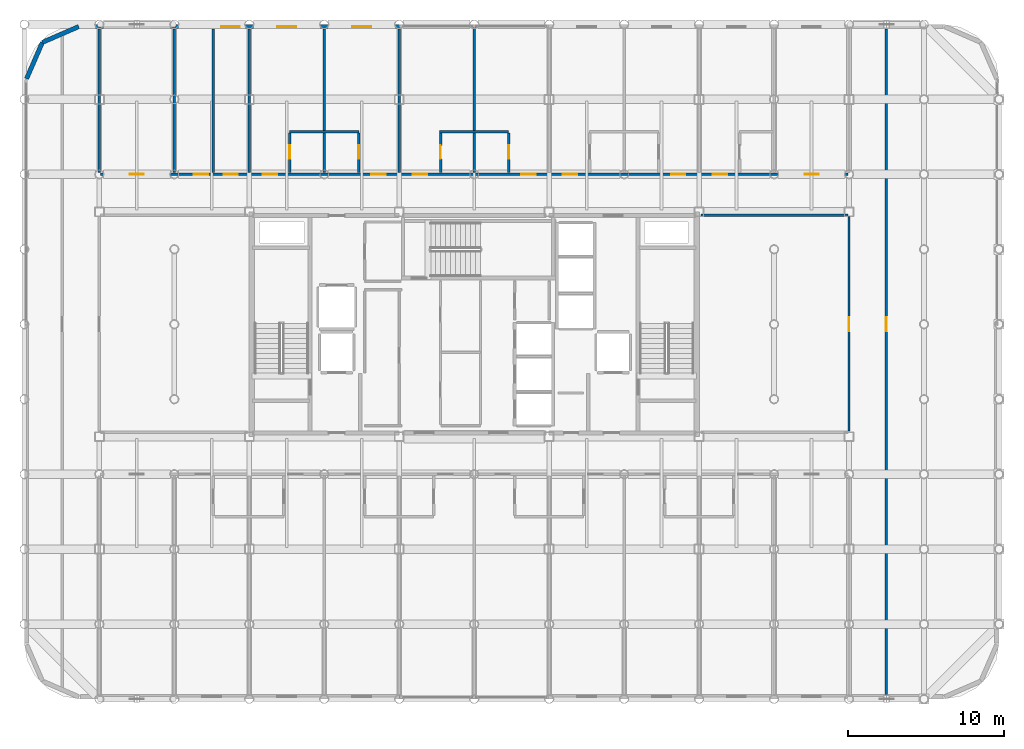
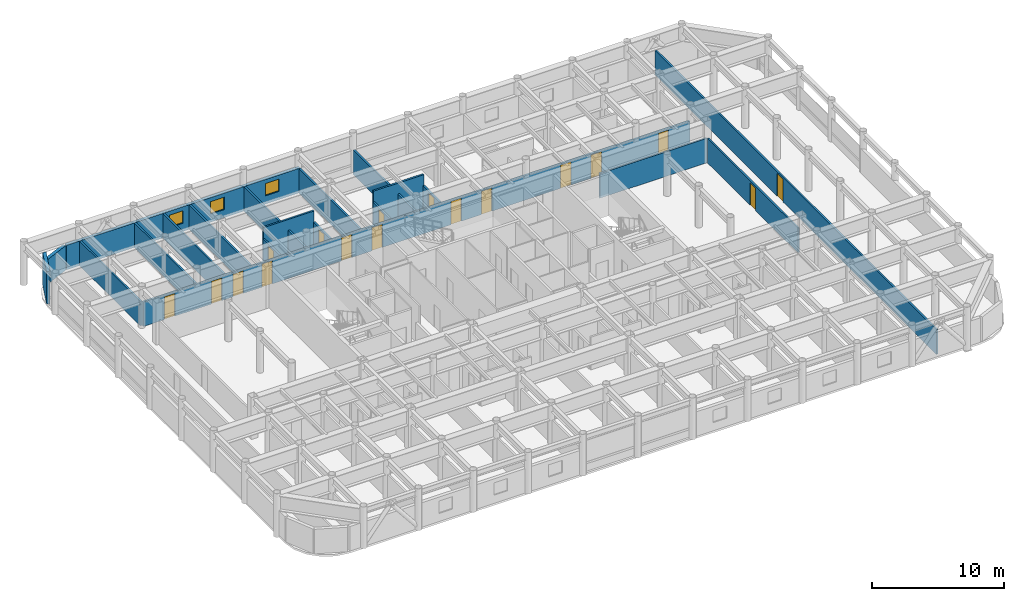
# One storey, part 20 of 22: 20 walls, 17 doors, 3 windows, 20 openings.
"""IFC4 building model written with IfcOpenShell, lengths in metres."""

from ifc_helpers import new_model, si_unit, direction, frame, frame_2d, origin, place, context, subcontext, project, spatial, rectangle, extrude, material, layer, layer_set, type_object, element, fill, save


model = new_model("IFC4")

# Units and contexts
model_context = context("Model", 3, precision=1e-05, world=origin(), true_north=direction((0.0, 1.0)))
body_context = subcontext(model_context, "Body", "Model", "MODEL_VIEW")
ifc_project = project(units=[si_unit("LENGTHUNIT", "METRE"), si_unit("AREAUNIT", "SQUARE_METRE"), si_unit("VOLUMEUNIT", "CUBIC_METRE"), si_unit("PLANEANGLEUNIT", "RADIAN"), si_unit("MASSUNIT", "GRAM", prefix="KILO")], contexts=[model_context])

# Site, building, storey
site_placement = place(None, origin())
site = spatial("IfcSite", under=ifc_project, at=site_placement, CompositionType="ELEMENT")
building_placement = place(site_placement, origin())
building = spatial("IfcBuilding", under=site, at=building_placement, Name="Kallvorn Hotel Tower", CompositionType="ELEMENT")
storey_placement = place(building_placement, frame((0.0, 0.0, 191.5)))
storey = spatial("IfcBuildingStorey", under=building, at=storey_placement, Name="L47", CompositionType="ELEMENT", Elevation=191.5)

# Wall, openings, doors
ifc_material_1 = material(Name="Fire-rated double-layer acoustic gypsum drywall EI 60")
ifc_layer_1 = layer(ifc_material_1, 0.159912109375)
ifc_layer_set_1 = layer_set([ifc_layer_1], Name="WL_DEMISE_160")
wall_type_1 = type_object("IfcWallType", Name="WL_DEMISE_160", PredefinedType="PARTITIONING", material=ifc_layer_set_1)
wall_1_placement = place(storey_placement, frame((-23.919921875, 9.60009765625, 0.0), z_axis=(0.0, 0.0, 1.0), x_axis=(1.0, 0.0, 0.0)))
wall_1 = element("IfcWall", 1, at=wall_1_placement, inside=storey, type_object=wall_type_1, Name="L47 Suite 4709 Standard Twin Room Partition", PredefinedType="PARTITIONING", context=body_context, shape_type="SweptSolid", body=[
    extrude(rectangle(XDim=47.83984375, YDim=0.159912109375, at=frame_2d((23.919921875, 0.0))), origin(), (0.0, 0.0, 1.0), 2.27001953125),
])
opening_1_placement = place(wall_1_placement, frame((1.8701171875, 0.0, 0.0)))
opening_1 = element("IfcOpeningElement", 2, at=opening_1_placement, cuts=wall_1, Name="Opening SVD1", PredefinedType="OPENING", context=body_context, shape_type="SweptSolid", body=[
    extrude(rectangle(XDim=0.89990234375, YDim=2.10009765625, at=frame_2d((0.449951171875, 1.050048828125))), frame((0.0, 0.094970703125, 0.0), z_axis=(0.0, -1.0, 0.0), x_axis=(1.0, 0.0, 0.0)), (0.0, 0.0, 1.0), 0.18994140625),
])
opening_2_placement = place(wall_1_placement, frame((45.070068359375, 0.0, 0.0)))
opening_2 = element("IfcOpeningElement", 3, at=opening_2_placement, cuts=wall_1, Name="Opening SVD1", PredefinedType="OPENING", context=body_context, shape_type="SweptSolid", body=[
    extrude(rectangle(XDim=0.89990234375, YDim=2.10009765625, at=frame_2d((0.449951171875, 1.050048828125))), frame((0.0, 0.094970703125, 0.0), z_axis=(0.0, -1.0, 0.0), x_axis=(1.0, 0.0, 0.0)), (0.0, 0.0, 1.0), 0.18994140625),
])
opening_3_placement = place(wall_1_placement, frame((5.97998046875, 0.0, 0.0)))
opening_3 = element("IfcOpeningElement", 4, at=opening_3_placement, cuts=wall_1, Name="Opening SVD1", PredefinedType="OPENING", context=body_context, shape_type="SweptSolid", body=[
    extrude(rectangle(XDim=0.89990234375, YDim=2.10009765625, at=frame_2d((0.449951171875, 1.050048828125))), frame((0.0, 0.094970703125, 0.0), z_axis=(0.0, -1.0, 0.0), x_axis=(1.0, 0.0, 0.0)), (0.0, 0.0, 1.0), 0.18994140625),
])
opening_4_placement = place(wall_1_placement, frame((7.8701171875, 0.0, 0.0)))
opening_4 = element("IfcOpeningElement", 5, at=opening_4_placement, cuts=wall_1, Name="Opening SVD1", PredefinedType="OPENING", context=body_context, shape_type="SweptSolid", body=[
    extrude(rectangle(XDim=0.89990234375, YDim=2.10009765625, at=frame_2d((0.449951171875, 1.050048828125))), frame((0.0, 0.094970703125, 0.0), z_axis=(0.0, -1.0, 0.0), x_axis=(1.0, 0.0, 0.0)), (0.0, 0.0, 1.0), 0.18994140625),
])
opening_5_placement = place(wall_1_placement, frame((10.39501953125, 0.0, 0.0)))
opening_5 = element("IfcOpeningElement", 6, at=opening_5_placement, cuts=wall_1, Name="Opening GD1", PredefinedType="OPENING", context=body_context, shape_type="SweptSolid", body=[
    extrude(rectangle(XDim=0.919921875, YDim=2.14990234375, at=frame_2d((0.4599609375, 1.074951171875))), frame((0.0, 0.094970703125, 0.0), z_axis=(0.0, -1.0, 0.0), x_axis=(1.0, 0.0, 0.0)), (0.0, 0.0, 1.0), 0.18994140625),
])
opening_6_placement = place(wall_1_placement, frame((17.324951171875, 0.0, 0.0)))
opening_6 = element("IfcOpeningElement", 7, at=opening_6_placement, cuts=wall_1, Name="Opening GD1", PredefinedType="OPENING", context=body_context, shape_type="SweptSolid", body=[
    extrude(rectangle(XDim=0.919921875, YDim=2.14990234375, at=frame_2d((0.4599609375, 1.074951171875))), frame((0.0, 0.094970703125, 0.0), z_axis=(0.0, -1.0, 0.0), x_axis=(1.0, 0.0, 0.0)), (0.0, 0.0, 1.0), 0.18994140625),
])
opening_7_placement = place(wall_1_placement, frame((19.9951171875, 0.0, 0.0)))
opening_7 = element("IfcOpeningElement", 8, at=opening_7_placement, cuts=wall_1, Name="Opening GD1", PredefinedType="OPENING", context=body_context, shape_type="SweptSolid", body=[
    extrude(rectangle(XDim=0.919921875, YDim=2.14990234375, at=frame_2d((0.4599609375, 1.074951171875))), frame((0.0, 0.094970703125, 0.0), z_axis=(0.0, -1.0, 0.0), x_axis=(1.0, 0.0, 0.0)), (0.0, 0.0, 1.0), 0.18994140625),
])
opening_8_placement = place(wall_1_placement, frame((26.925048828125, 0.0, 0.0)))
opening_8 = element("IfcOpeningElement", 9, at=opening_8_placement, cuts=wall_1, Name="Opening GD1", PredefinedType="OPENING", context=body_context, shape_type="SweptSolid", body=[
    extrude(rectangle(XDim=0.919921875, YDim=2.14990234375, at=frame_2d((0.4599609375, 1.074951171875))), frame((0.0, 0.094970703125, 0.0), z_axis=(0.0, -1.0, 0.0), x_axis=(1.0, 0.0, 0.0)), (0.0, 0.0, 1.0), 0.18994140625),
])
opening_9_placement = place(wall_1_placement, frame((29.594970703125, 0.0, 0.0)))
opening_9 = element("IfcOpeningElement", 10, at=opening_9_placement, cuts=wall_1, Name="Opening GD1", PredefinedType="OPENING", context=body_context, shape_type="SweptSolid", body=[
    extrude(rectangle(XDim=0.919921875, YDim=2.14990234375, at=frame_2d((0.4599609375, 1.074951171875))), frame((0.0, 0.094970703125, 0.0), z_axis=(0.0, -1.0, 0.0), x_axis=(1.0, 0.0, 0.0)), (0.0, 0.0, 1.0), 0.18994140625),
])
opening_10_placement = place(wall_1_placement, frame((36.52490234375, 0.0, 0.0)))
opening_10 = element("IfcOpeningElement", 11, at=opening_10_placement, cuts=wall_1, Name="Opening GD1", PredefinedType="OPENING", context=body_context, shape_type="SweptSolid", body=[
    extrude(rectangle(XDim=0.919921875, YDim=2.14990234375, at=frame_2d((0.4599609375, 1.074951171875))), frame((0.0, 0.094970703125, 0.0), z_axis=(0.0, -1.0, 0.0), x_axis=(1.0, 0.0, 0.0)), (0.0, 0.0, 1.0), 0.18994140625),
])
opening_11_placement = place(wall_1_placement, frame((39.195068359375, 0.0, 0.0)))
opening_11 = element("IfcOpeningElement", 12, at=opening_11_placement, cuts=wall_1, Name="Opening GD1", PredefinedType="OPENING", context=body_context, shape_type="SweptSolid", body=[
    extrude(rectangle(XDim=0.919921875, YDim=2.14990234375, at=frame_2d((0.4599609375, 1.074951171875))), frame((0.0, 0.094970703125, 0.0), z_axis=(0.0, -1.0, 0.0), x_axis=(1.0, 0.0, 0.0)), (0.0, 0.0, 1.0), 0.18994140625),
])
ifc_material_2 = material(Name="Solid-core walnut veneer fire-rated timber door leaf", Category="wood")
door_type_1 = type_object("IfcDoorType", Name="DR_GUEST_920x2150", OperationType="NOTDEFINED", PredefinedType="DOOR", material=ifc_material_2)
door_1_placement = place(opening_5_placement, origin())
door_1 = element("IfcDoor", 13, at=door_1_placement, inside=storey, type_object=door_type_1, Name="L47 Suite 4709 Standard Twin Room Door", OperationType="SINGLE_SWING_LEFT", OverallHeight=2.14990234375, OverallWidth=0.919921875, PredefinedType="DOOR", context=body_context, shape_type="SweptSolid", body=[
    extrude(rectangle(XDim=0.919921875, YDim=2.14990234375, at=frame_2d((0.4599609375, 1.074951171875))), frame((0.0, 0.02490234375, 0.0), z_axis=(0.0, -1.0, 0.0), x_axis=(1.0, 0.0, 0.0)), (0.0, 0.0, 1.0), 0.050048828125),
])
fill(opening_5, door_1)
door_2_placement = place(opening_6_placement, origin())
door_2 = element("IfcDoor", 14, at=door_2_placement, inside=storey, type_object=door_type_1, Name="L47 Suite 4710 Standard Twin Room Door", OperationType="SINGLE_SWING_LEFT", OverallHeight=2.14990234375, OverallWidth=0.919921875, PredefinedType="DOOR", context=body_context, shape_type="SweptSolid", body=[
    extrude(rectangle(XDim=0.919921875, YDim=2.14990234375, at=frame_2d((0.4599609375, 1.074951171875))), frame((0.0, 0.02490234375, 0.0), z_axis=(0.0, -1.0, 0.0), x_axis=(1.0, 0.0, 0.0)), (0.0, 0.0, 1.0), 0.050048828125),
])
fill(opening_6, door_2)
door_3_placement = place(opening_7_placement, origin())
door_3 = element("IfcDoor", 15, at=door_3_placement, inside=storey, type_object=door_type_1, Name="L47 Suite 4711 Standard Twin Room Door", OperationType="SINGLE_SWING_LEFT", OverallHeight=2.14990234375, OverallWidth=0.919921875, PredefinedType="DOOR", context=body_context, shape_type="SweptSolid", body=[
    extrude(rectangle(XDim=0.919921875, YDim=2.14990234375, at=frame_2d((0.4599609375, 1.074951171875))), frame((0.0, 0.02490234375, 0.0), z_axis=(0.0, -1.0, 0.0), x_axis=(1.0, 0.0, 0.0)), (0.0, 0.0, 1.0), 0.050048828125),
])
fill(opening_7, door_3)
door_4_placement = place(opening_8_placement, origin())
door_4 = element("IfcDoor", 16, at=door_4_placement, inside=storey, type_object=door_type_1, Name="L47 Suite 4712 Standard Twin Room Door", OperationType="SINGLE_SWING_RIGHT", OverallHeight=2.14990234375, OverallWidth=0.919921875, PredefinedType="DOOR", context=body_context, shape_type="SweptSolid", body=[
    extrude(rectangle(XDim=0.919921875, YDim=2.14990234375, at=frame_2d((0.4599609375, 1.074951171875))), frame((0.0, 0.02490234375, 0.0), z_axis=(0.0, -1.0, 0.0), x_axis=(1.0, 0.0, 0.0)), (0.0, 0.0, 1.0), 0.050048828125),
])
fill(opening_8, door_4)
door_5_placement = place(opening_9_placement, origin())
door_5 = element("IfcDoor", 17, at=door_5_placement, inside=storey, type_object=door_type_1, Name="L47 Suite 4713 Standard Twin Room Door", OperationType="SINGLE_SWING_RIGHT", OverallHeight=2.14990234375, OverallWidth=0.919921875, PredefinedType="DOOR", context=body_context, shape_type="SweptSolid", body=[
    extrude(rectangle(XDim=0.919921875, YDim=2.14990234375, at=frame_2d((0.4599609375, 1.074951171875))), frame((0.0, 0.02490234375, 0.0), z_axis=(0.0, -1.0, 0.0), x_axis=(1.0, 0.0, 0.0)), (0.0, 0.0, 1.0), 0.050048828125),
])
fill(opening_9, door_5)
door_6_placement = place(opening_10_placement, origin())
door_6 = element("IfcDoor", 18, at=door_6_placement, inside=storey, type_object=door_type_1, Name="L47 Suite 4714 Standard Twin Room Door", OperationType="SINGLE_SWING_RIGHT", OverallHeight=2.14990234375, OverallWidth=0.919921875, PredefinedType="DOOR", context=body_context, shape_type="SweptSolid", body=[
    extrude(rectangle(XDim=0.919921875, YDim=2.14990234375, at=frame_2d((0.4599609375, 1.074951171875))), frame((0.0, 0.02490234375, 0.0), z_axis=(0.0, -1.0, 0.0), x_axis=(1.0, 0.0, 0.0)), (0.0, 0.0, 1.0), 0.050048828125),
])
fill(opening_10, door_6)
door_7_placement = place(opening_11_placement, origin())
door_7 = element("IfcDoor", 19, at=door_7_placement, inside=storey, type_object=door_type_1, Name="L47 Suite 4715 Standard Twin Room Door", OperationType="SINGLE_SWING_RIGHT", OverallHeight=2.14990234375, OverallWidth=0.919921875, PredefinedType="DOOR", context=body_context, shape_type="SweptSolid", body=[
    extrude(rectangle(XDim=0.919921875, YDim=2.14990234375, at=frame_2d((0.4599609375, 1.074951171875))), frame((0.0, 0.02490234375, 0.0), z_axis=(0.0, -1.0, 0.0), x_axis=(1.0, 0.0, 0.0)), (0.0, 0.0, 1.0), 0.050048828125),
])
fill(opening_11, door_7)
ifc_material_3 = material(Name="Galvanised painted steel fire-rated door assembly", Category="steel")
door_type_2 = type_object("IfcDoorType", Name="DR_SERV_900x2100", OperationType="NOTDEFINED", PredefinedType="DOOR", material=ifc_material_3)
door_8_placement = place(opening_1_placement, origin())
door_8 = element("IfcDoor", 20, at=door_8_placement, inside=storey, type_object=door_type_2, Name="L47 L47 High-Zone North-West Reading Salon Door", OperationType="SINGLE_SWING_RIGHT", OverallHeight=2.10009765625, OverallWidth=0.89990234375, PredefinedType="DOOR", context=body_context, shape_type="SweptSolid", body=[
    extrude(rectangle(XDim=0.89990234375, YDim=2.10009765625, at=frame_2d((0.449951171875, 1.050048828125))), frame((0.0, 0.02490234375, 0.0), z_axis=(0.0, -1.0, 0.0), x_axis=(1.0, 0.0, 0.0)), (0.0, 0.0, 1.0), 0.050048828125),
])
fill(opening_1, door_8)
door_9_placement = place(opening_2_placement, origin())
door_9 = element("IfcDoor", 21, at=door_9_placement, inside=storey, type_object=door_type_2, Name="L47 L47 High-Zone North-East Pastry Bar Door", OperationType="SINGLE_SWING_LEFT", OverallHeight=2.10009765625, OverallWidth=0.89990234375, PredefinedType="DOOR", context=body_context, shape_type="SweptSolid", body=[
    extrude(rectangle(XDim=0.89990234375, YDim=2.10009765625, at=frame_2d((0.449951171875, 1.050048828125))), frame((0.0, 0.02490234375, 0.0), z_axis=(0.0, -1.0, 0.0), x_axis=(1.0, 0.0, 0.0)), (0.0, 0.0, 1.0), 0.050048828125),
])
fill(opening_2, door_9)
door_10_placement = place(opening_3_placement, origin())
door_10 = element("IfcDoor", 22, at=door_10_placement, inside=storey, type_object=door_type_2, Name="L47 Housekeeping and Linen Room Door", OperationType="SINGLE_SWING_LEFT", OverallHeight=2.10009765625, OverallWidth=0.89990234375, PredefinedType="DOOR", context=body_context, shape_type="SweptSolid", body=[
    extrude(rectangle(XDim=0.89990234375, YDim=2.10009765625, at=frame_2d((0.449951171875, 1.050048828125))), frame((0.0, 0.02490234375, 0.0), z_axis=(0.0, -1.0, 0.0), x_axis=(1.0, 0.0, 0.0)), (0.0, 0.0, 1.0), 0.050048828125),
])
fill(opening_3, door_10)
door_11_placement = place(opening_4_placement, origin())
door_11 = element("IfcDoor", 23, at=door_11_placement, inside=storey, type_object=door_type_2, Name="L47 Guest Tea and Refreshment Bar Door", OperationType="SINGLE_SWING_RIGHT", OverallHeight=2.10009765625, OverallWidth=0.89990234375, PredefinedType="DOOR", context=body_context, shape_type="SweptSolid", body=[
    extrude(rectangle(XDim=0.89990234375, YDim=2.10009765625, at=frame_2d((0.449951171875, 1.050048828125))), frame((0.0, 0.02490234375, 0.0), z_axis=(0.0, -1.0, 0.0), x_axis=(1.0, 0.0, 0.0)), (0.0, 0.0, 1.0), 0.050048828125),
])
fill(opening_4, door_11)

# Walls
wall_2_placement = place(storey_placement, frame((-11.81005859375, 12.320068359375, 0.0), z_axis=(0.0, 0.0, 1.0), x_axis=(1.0, 0.0, 0.0)))
element("IfcWall", 24, at=wall_2_placement, inside=storey, type_object=wall_type_1, Name="L47 Suite 4709 Standard Twin Room Partition", PredefinedType="PARTITIONING", context=body_context, shape_type="SweptSolid", body=[
    extrude(rectangle(XDim=4.420166015625, YDim=0.159912109375, at=frame_2d((2.2099609375, 0.0))), origin(), (0.0, 0.0, 1.0), 3.27001953125),
])
wall_3_placement = place(storey_placement, frame((-2.2099609375, 12.320068359375, 0.0), z_axis=(0.0, 0.0, 1.0), x_axis=(1.0, 0.0, 0.0)))
element("IfcWall", 25, at=wall_3_placement, inside=storey, type_object=wall_type_1, Name="L47 Suite 4711 Standard Twin Room Partition", PredefinedType="PARTITIONING", context=body_context, shape_type="SweptSolid", body=[
    extrude(rectangle(XDim=4.419921875, YDim=0.159912109375, at=frame_2d((2.2099609375, 0.0))), origin(), (0.0, 0.0, 1.0), 3.27001953125),
])
wall_4_placement = place(storey_placement, frame((-14.39990234375, 9.719970703125, 0.0), z_axis=(0.0, 0.0, 1.0), x_axis=(0.0, 1.0, 0.0)))
element("IfcWall", 26, at=wall_4_placement, inside=storey, type_object=wall_type_1, Name="L47 Suite 4709 Standard Twin Room Partition", PredefinedType="PARTITIONING", context=body_context, shape_type="SweptSolid", body=[
    extrude(rectangle(XDim=9.18994140625, YDim=0.159912109375, at=frame_2d((4.594970703125, 0.0))), origin(), (0.0, 0.0, 1.0), 2.27001953125),
])

# Wall, opening, door
wall_5_placement = place(storey_placement, frame((-11.81005859375, 9.719970703125, 0.0), z_axis=(0.0, 0.0, 1.0), x_axis=(0.0, 1.0, 0.0)))
wall_5 = element("IfcWall", 27, at=wall_5_placement, inside=storey, type_object=wall_type_1, Name="L47 Suite 4709 Standard Twin Room Partition", PredefinedType="PARTITIONING", context=body_context, shape_type="SweptSolid", body=[
    extrude(rectangle(XDim=2.51513671875, YDim=0.159912109375, at=frame_2d((1.257568359375, 0.0))), origin(), (0.0, 0.0, 1.0), 2.27001953125),
])
opening_12_placement = place(wall_5_placement, frame((0.8701171875, 0.0, 0.0)))
opening_12 = element("IfcOpeningElement", 28, at=opening_12_placement, cuts=wall_5, Name="Opening BD-I", PredefinedType="OPENING", context=body_context, shape_type="SweptSolid", body=[
    extrude(rectangle(XDim=0.860107421875, YDim=2.10009765625, at=frame_2d((0.43017578125, 1.050048828125))), frame((0.0, 0.094970703125, 0.0), z_axis=(0.0, -1.0, 0.0), x_axis=(1.0, 0.0, 0.0)), (0.0, 0.0, 1.0), 0.18994140625),
])
ifc_material_4 = material(Name="Solid-core walnut veneer fire-rated timber door leaf", Category="wood")
door_type_3 = type_object("IfcDoorType", Name="DR_BATH_860x2100", OperationType="NOTDEFINED", PredefinedType="DOOR", material=ifc_material_4)
door_12_placement = place(opening_12_placement, origin())
door_12 = element("IfcDoor", 29, at=door_12_placement, inside=storey, type_object=door_type_3, Name="L47 Suite 4709 En-Suite Bathroom Door", OperationType="SINGLE_SWING_RIGHT", OverallHeight=2.10009765625, OverallWidth=0.860107421875, PredefinedType="DOOR", context=body_context, shape_type="SweptSolid", body=[
    extrude(rectangle(XDim=0.860107421875, YDim=2.10009765625, at=frame_2d((0.43017578125, 1.050048828125))), frame((0.0, 0.02490234375, 0.0), z_axis=(0.0, -1.0, 0.0), x_axis=(1.0, 0.0, 0.0)), (0.0, 0.0, 1.0), 0.050048828125),
])
fill(opening_12, door_12)

# Wall
wall_6_placement = place(storey_placement, frame((-9.60009765625, 9.719970703125, 0.0), z_axis=(0.0, 0.0, 1.0), x_axis=(0.0, 1.0, 0.0)))
element("IfcWall", 30, at=wall_6_placement, inside=storey, type_object=wall_type_1, Name="L47 Suite 4709 Standard Twin Room Partition", PredefinedType="PARTITIONING", context=body_context, shape_type="SweptSolid", body=[
    extrude(rectangle(XDim=9.18994140625, YDim=0.159912109375, at=frame_2d((4.594970703125, 0.0))), origin(), (0.0, 0.0, 1.0), 2.27001953125),
])

# Wall, opening, door
wall_7_placement = place(storey_placement, frame((-7.389892578125, 9.719970703125, 0.0), z_axis=(0.0, 0.0, 1.0), x_axis=(0.0, 1.0, 0.0)))
wall_7 = element("IfcWall", 31, at=wall_7_placement, inside=storey, type_object=wall_type_1, Name="L47 Suite 4710 Standard Twin Room Partition", PredefinedType="PARTITIONING", context=body_context, shape_type="SweptSolid", body=[
    extrude(rectangle(XDim=2.51513671875, YDim=0.159912109375, at=frame_2d((1.257568359375, 0.0))), origin(), (0.0, 0.0, 1.0), 2.27001953125),
])
opening_13_placement = place(wall_7_placement, frame((0.8701171875, 0.0, 0.0)))
opening_13 = element("IfcOpeningElement", 32, at=opening_13_placement, cuts=wall_7, Name="Opening BD-I", PredefinedType="OPENING", context=body_context, shape_type="SweptSolid", body=[
    extrude(rectangle(XDim=0.860107421875, YDim=2.10009765625, at=frame_2d((0.43017578125, 1.050048828125))), frame((0.0, 0.094970703125, 0.0), z_axis=(0.0, -1.0, 0.0), x_axis=(1.0, 0.0, 0.0)), (0.0, 0.0, 1.0), 0.18994140625),
])
door_13_placement = place(opening_13_placement, origin())
door_13 = element("IfcDoor", 33, at=door_13_placement, inside=storey, type_object=door_type_3, Name="L47 Suite 4710 En-Suite Bathroom Door", OperationType="SINGLE_SWING_RIGHT", OverallHeight=2.10009765625, OverallWidth=0.860107421875, PredefinedType="DOOR", context=body_context, shape_type="SweptSolid", body=[
    extrude(rectangle(XDim=0.860107421875, YDim=2.10009765625, at=frame_2d((0.43017578125, 1.050048828125))), frame((0.0, 0.02490234375, 0.0), z_axis=(0.0, -1.0, 0.0), x_axis=(1.0, 0.0, 0.0)), (0.0, 0.0, 1.0), 0.050048828125),
])
fill(opening_13, door_13)

# Wall
wall_8_placement = place(storey_placement, frame((-4.800048828125, 9.719970703125, 0.0), z_axis=(0.0, 0.0, 1.0), x_axis=(0.0, 1.0, 0.0)))
element("IfcWall", 34, at=wall_8_placement, inside=storey, type_object=wall_type_1, Name="L47 Suite 4710 Standard Twin Room Partition", PredefinedType="PARTITIONING", context=body_context, shape_type="SweptSolid", body=[
    extrude(rectangle(XDim=9.18994140625, YDim=0.159912109375, at=frame_2d((4.594970703125, 0.0))), origin(), (0.0, 0.0, 1.0), 2.27001953125),
])

# Wall, opening, door
wall_9_placement = place(storey_placement, frame((-2.155029296875, 9.719970703125, 0.0), z_axis=(0.0, 0.0, 1.0), x_axis=(0.0, 1.0, 0.0)))
wall_9 = element("IfcWall", 35, at=wall_9_placement, inside=storey, type_object=wall_type_1, Name="L47 Suite 4711 Standard Twin Room Partition", PredefinedType="PARTITIONING", context=body_context, shape_type="SweptSolid", body=[
    extrude(rectangle(XDim=2.51513671875, YDim=0.159912109375, at=frame_2d((1.257568359375, 0.0))), origin(), (0.0, 0.0, 1.0), 2.27001953125),
])
opening_14_placement = place(wall_9_placement, frame((0.8701171875, 0.0, 0.0)))
opening_14 = element("IfcOpeningElement", 36, at=opening_14_placement, cuts=wall_9, Name="Opening BD-I", PredefinedType="OPENING", context=body_context, shape_type="SweptSolid", body=[
    extrude(rectangle(XDim=0.860107421875, YDim=2.10009765625, at=frame_2d((0.43017578125, 1.050048828125))), frame((0.0, 0.094970703125, 0.0), z_axis=(0.0, -1.0, 0.0), x_axis=(1.0, 0.0, 0.0)), (0.0, 0.0, 1.0), 0.18994140625),
])
door_14_placement = place(opening_14_placement, origin())
door_14 = element("IfcDoor", 37, at=door_14_placement, inside=storey, type_object=door_type_3, Name="L47 Suite 4711 En-Suite Bathroom Door", OperationType="SINGLE_SWING_LEFT", OverallHeight=2.10009765625, OverallWidth=0.860107421875, PredefinedType="DOOR", context=body_context, shape_type="SweptSolid", body=[
    extrude(rectangle(XDim=0.860107421875, YDim=2.10009765625, at=frame_2d((0.43017578125, 1.050048828125))), frame((0.0, 0.02490234375, 0.0), z_axis=(0.0, -1.0, 0.0), x_axis=(1.0, 0.0, 0.0)), (0.0, 0.0, 1.0), 0.050048828125),
])
fill(opening_14, door_14)

# Wall
wall_10_placement = place(storey_placement, frame((0.0, 9.719970703125, 0.0), z_axis=(0.0, 0.0, 1.0), x_axis=(0.0, 1.0, 0.0)))
element("IfcWall", 38, at=wall_10_placement, inside=storey, type_object=wall_type_1, Name="L47 Suite 4711 Standard Twin Room Partition", PredefinedType="PARTITIONING", context=body_context, shape_type="SweptSolid", body=[
    extrude(rectangle(XDim=9.275146484375, YDim=0.159912109375, at=frame_2d((4.6376953125, 0.0))), origin(), (0.0, 0.0, 1.0), 2.27001953125),
])

# Wall, opening, door
wall_11_placement = place(storey_placement, frame((2.2099609375, 9.719970703125, 0.0), z_axis=(0.0, 0.0, 1.0), x_axis=(0.0, 1.0, 0.0)))
wall_11 = element("IfcWall", 39, at=wall_11_placement, inside=storey, type_object=wall_type_1, Name="L47 Suite 4712 Standard Twin Room Partition", PredefinedType="PARTITIONING", context=body_context, shape_type="SweptSolid", body=[
    extrude(rectangle(XDim=2.51513671875, YDim=0.159912109375, at=frame_2d((1.257568359375, 0.0))), origin(), (0.0, 0.0, 1.0), 2.27001953125),
])
opening_15_placement = place(wall_11_placement, frame((0.8701171875, 0.0, 0.0)))
opening_15 = element("IfcOpeningElement", 40, at=opening_15_placement, cuts=wall_11, Name="Opening BD-I", PredefinedType="OPENING", context=body_context, shape_type="SweptSolid", body=[
    extrude(rectangle(XDim=0.860107421875, YDim=2.10009765625, at=frame_2d((0.43017578125, 1.050048828125))), frame((0.0, 0.094970703125, 0.0), z_axis=(0.0, -1.0, 0.0), x_axis=(1.0, 0.0, 0.0)), (0.0, 0.0, 1.0), 0.18994140625),
])
door_15_placement = place(opening_15_placement, origin())
door_15 = element("IfcDoor", 41, at=door_15_placement, inside=storey, type_object=door_type_3, Name="L47 Suite 4712 En-Suite Bathroom Door", OperationType="SINGLE_SWING_RIGHT", OverallHeight=2.10009765625, OverallWidth=0.860107421875, PredefinedType="DOOR", context=body_context, shape_type="SweptSolid", body=[
    extrude(rectangle(XDim=0.860107421875, YDim=2.10009765625, at=frame_2d((0.43017578125, 1.050048828125))), frame((0.0, 0.02490234375, 0.0), z_axis=(0.0, -1.0, 0.0), x_axis=(1.0, 0.0, 0.0)), (0.0, 0.0, 1.0), 0.050048828125),
])
fill(opening_15, door_15)

# Walls
ifc_material_5 = material(Name="Precast basalt-clad insulated concrete wall C40/50", Category="masonry")
ifc_layer_2 = layer(ifc_material_5, 0.280029296875)
ifc_layer_set_2 = layer_set([ifc_layer_2], Name="WL_EXT_LOGGIA_280")
wall_type_2 = type_object("IfcWallType", Name="WL_EXT_LOGGIA_280", PredefinedType="SOLIDWALL", material=ifc_layer_set_2)
wall_12_placement = place(storey_placement, frame((-25.32080078125, 19.057861328125, 0.0), z_axis=(0.0, 0.0, 1.0), x_axis=(-0.917060872934, -0.398747232384, 0.0)))
element("IfcWall", 42, at=wall_12_placement, inside=storey, type_object=wall_type_2, Name="L47 Rounded Corner Exterior Wall NW1", PredefinedType="SOLIDWALL", context=body_context, shape_type="SweptSolid", body=[
    extrude(rectangle(XDim=2.5361328125, YDim=0.280029296875, at=frame_2d((1.26806640625, 0.0))), origin(), (0.0, 0.0, 1.0), 2.27001953125),
])
wall_13_placement = place(storey_placement, frame((-27.646484375, 18.046630859375, 0.0), z_axis=(0.0, 0.0, 1.0), x_axis=(-0.398792985289, -0.917040977756, 0.0)))
element("IfcWall", 43, at=wall_13_placement, inside=storey, type_object=wall_type_2, Name="L47 Rounded Corner Exterior Wall NW2", PredefinedType="SOLIDWALL", context=body_context, shape_type="SweptSolid", body=[
    extrude(rectangle(XDim=2.536376953125, YDim=0.280029296875, at=frame_2d((1.26806640625, 0.0))), origin(), (0.0, 0.0, 1.0), 3.02001953125),
])

# Wall, openings, windows
wall_14_placement = place(storey_placement, frame((-25.199951171875, 19.06005859375, 0.0), z_axis=(0.0, 0.0, 1.0), x_axis=(1.0, 0.0, 0.0)))
wall_14 = element("IfcWall", 44, at=wall_14_placement, inside=storey, type_object=wall_type_2, Name="L47 Exterior Envelope Wall EW-L47-NW", PredefinedType="SOLIDWALL", context=body_context, shape_type="SweptSolid", body=[
    extrude(rectangle(XDim=20.449951171875, YDim=0.280029296875, at=frame_2d((10.22509765625, 0.0))), origin(), (0.0, 0.0, 1.0), 2.27001953125),
])
opening_16_placement = place(wall_14_placement, frame((9.0, 0.0, 0.75)))
opening_16 = element("IfcOpeningElement", 45, at=opening_16_placement, cuts=wall_14, Name="Opening W06A", PredefinedType="OPENING", context=body_context, shape_type="SweptSolid", body=[
    extrude(rectangle(XDim=1.199951171875, YDim=1.14990234375, at=frame_2d((0.60009765625, 0.574951171875))), frame((0.0, 0.155029296875, 0.0), z_axis=(0.0, -1.0, 0.0), x_axis=(1.0, 0.0, 0.0)), (0.0, 0.0, 1.0), 0.31005859375),
])
opening_17_placement = place(wall_14_placement, frame((12.60009765625, 0.0, 0.75)))
opening_17 = element("IfcOpeningElement", 46, at=opening_17_placement, cuts=wall_14, Name="Opening W06A", PredefinedType="OPENING", context=body_context, shape_type="SweptSolid", body=[
    extrude(rectangle(XDim=1.199951171875, YDim=1.14990234375, at=frame_2d((0.60009765625, 0.574951171875))), frame((0.0, 0.155029296875, 0.0), z_axis=(0.0, -1.0, 0.0), x_axis=(1.0, 0.0, 0.0)), (0.0, 0.0, 1.0), 0.31005859375),
])
opening_18_placement = place(wall_14_placement, frame((17.39990234375, 0.0, 0.75)))
opening_18 = element("IfcOpeningElement", 47, at=opening_18_placement, cuts=wall_14, Name="Opening W06A", PredefinedType="OPENING", context=body_context, shape_type="SweptSolid", body=[
    extrude(rectangle(XDim=1.199951171875, YDim=1.14990234375, at=frame_2d((0.60009765625, 0.574951171875))), frame((0.0, 0.155029296875, 0.0), z_axis=(0.0, -1.0, 0.0), x_axis=(1.0, 0.0, 0.0)), (0.0, 0.0, 1.0), 0.31005859375),
])
ifc_material_6 = material(Name="Triple-glazed low-e acoustic solar-control dark glass", Category="glass")
window_type = type_object("IfcWindowType", Name="WN_HTL_1200x1150", PartitioningType="SINGLE_PANEL", PredefinedType="WINDOW", material=ifc_material_6)
window_1_placement = place(opening_16_placement, origin())
window_1 = element("IfcWindow", 48, at=window_1_placement, inside=storey, type_object=window_type, Name="L47 Guestroom Exterior Window 09", OverallHeight=1.14990234375, OverallWidth=1.199951171875, PartitioningType="SINGLE_PANEL", PredefinedType="WINDOW", context=body_context, shape_type="SweptSolid", body=[
    extrude(rectangle(XDim=1.199951171875, YDim=1.14990234375, at=frame_2d((0.60009765625, 0.574951171875))), frame((0.0, 0.030029296875, 0.0), z_axis=(0.0, -1.0, 0.0), x_axis=(1.0, 0.0, 0.0)), (0.0, 0.0, 1.0), 0.06005859375),
])
fill(opening_16, window_1)
window_2_placement = place(opening_17_placement, origin())
window_2 = element("IfcWindow", 49, at=window_2_placement, inside=storey, type_object=window_type, Name="L47 Guestroom Exterior Window 10", OverallHeight=1.14990234375, OverallWidth=1.199951171875, PartitioningType="SINGLE_PANEL", PredefinedType="WINDOW", context=body_context, shape_type="SweptSolid", body=[
    extrude(rectangle(XDim=1.199951171875, YDim=1.14990234375, at=frame_2d((0.60009765625, 0.574951171875))), frame((0.0, 0.030029296875, 0.0), z_axis=(0.0, -1.0, 0.0), x_axis=(1.0, 0.0, 0.0)), (0.0, 0.0, 1.0), 0.06005859375),
])
fill(opening_17, window_2)
window_3_placement = place(opening_18_placement, origin())
window_3 = element("IfcWindow", 50, at=window_3_placement, inside=storey, type_object=window_type, Name="L47 Guestroom Exterior Window 11", OverallHeight=1.14990234375, OverallWidth=1.199951171875, PartitioningType="SINGLE_PANEL", PredefinedType="WINDOW", context=body_context, shape_type="SweptSolid", body=[
    extrude(rectangle(XDim=1.199951171875, YDim=1.14990234375, at=frame_2d((0.60009765625, 0.574951171875))), frame((0.0, 0.030029296875, 0.0), z_axis=(0.0, -1.0, 0.0), x_axis=(1.0, 0.0, 0.0)), (0.0, 0.0, 1.0), 0.06005859375),
])
fill(opening_18, window_3)

# Walls
ifc_material_7 = material(Name="Fire-rated double-layer acoustic gypsum drywall EI 60")
ifc_layer_3 = layer(ifc_material_7, 0.14990234375)
ifc_layer_set_3 = layer_set([ifc_layer_3], Name="WL_PART_150")
wall_type_3 = type_object("IfcWallType", Name="WL_PART_150", PredefinedType="PARTITIONING", material=ifc_layer_set_3)
wall_15_placement = place(storey_placement, frame((14.52001953125, 6.97998046875, 0.0), z_axis=(0.0, 0.0, 1.0), x_axis=(1.0, 0.0, 0.0)))
element("IfcWall", 51, at=wall_15_placement, inside=storey, type_object=wall_type_3, Name="L47 L47 High-Zone Inner East Club Gallery Partition", PredefinedType="PARTITIONING", context=body_context, shape_type="SweptSolid", body=[
    extrude(rectangle(XDim=9.39990234375, YDim=0.14990234375, at=frame_2d((4.699951171875, 0.0))), origin(), (0.0, 0.0, 1.0), 2.27001953125),
])
for number, where, z_axis, x_axis, name in (
    (52, (-24.0, 9.719970703125, 0.0), (0.0, 0.0, 1.0), (0.0, 1.0, 0.0), "L47 L47 High-Zone North-West Reading Salon Partition"),
    (53, (-19.199951171875, 9.719970703125, 0.0), (0.0, 0.0, 1.0), (0.0, 1.0, 0.0), "L47 Housekeeping and Linen Room Partition"),
    (54, (-16.705078125, 9.719970703125, 0.0), (0.0, 0.0, 1.0), (0.0, 1.0, 0.0), "L47 Guest Tea and Refreshment Bar Partition"),
):
    element("IfcWall", number, at=place(storey_placement, frame(where, z_axis=z_axis, x_axis=x_axis)), inside=storey, type_object=wall_type_3, Name=name, PredefinedType="PARTITIONING", context=body_context, shape_type="SweptSolid", body=[
        extrude(rectangle(XDim=9.18994140625, YDim=0.14990234375, at=frame_2d((4.594970703125, 0.0))), origin(), (0.0, 0.0, 1.0), 2.27001953125),
    ])

# Wall, opening, door
wall_16_placement = place(storey_placement, frame((24.0, -6.8349609375, 0.0), z_axis=(0.0, 0.0, 1.0), x_axis=(0.0, 1.0, 0.0)))
wall_16 = element("IfcWall", 55, at=wall_16_placement, inside=storey, type_object=wall_type_3, Name="L47 L47 High-Zone Inner East Club Gallery Partition", PredefinedType="PARTITIONING", context=body_context, shape_type="SweptSolid", body=[
    extrude(rectangle(XDim=13.72998046875, YDim=0.14990234375, at=frame_2d((6.864990234375, 0.0))), origin(), (0.0, 0.0, 1.0), 2.27001953125),
])
opening_19_placement = place(wall_16_placement, frame((6.385009765625, 0.0, 0.0)))
opening_19 = element("IfcOpeningElement", 56, at=opening_19_placement, cuts=wall_16, Name="Opening SVD1", PredefinedType="OPENING", context=body_context, shape_type="SweptSolid", body=[
    extrude(rectangle(XDim=0.89990234375, YDim=2.10009765625, at=frame_2d((0.449951171875, 1.050048828125))), frame((0.0, 0.08984375, 0.0), z_axis=(0.0, -1.0, 0.0), x_axis=(1.0, 0.0, 0.0)), (0.0, 0.0, 1.0), 0.179931640625),
])
door_16_placement = place(opening_19_placement, origin())
door_16 = element("IfcDoor", 57, at=door_16_placement, inside=storey, type_object=door_type_2, Name="L47 L47 High-Zone Inner East Club Gallery Door", OperationType="SINGLE_SWING_LEFT", OverallHeight=2.10009765625, OverallWidth=0.89990234375, PredefinedType="DOOR", context=body_context, shape_type="SweptSolid", body=[
    extrude(rectangle(XDim=0.89990234375, YDim=2.10009765625, at=frame_2d((0.449951171875, 1.050048828125))), frame((0.0, 0.02490234375, 0.0), z_axis=(0.0, -1.0, 0.0), x_axis=(1.0, 0.0, 0.0)), (0.0, 0.0, 1.0), 0.050048828125),
])
fill(opening_19, door_16)

wall_17_placement = place(storey_placement, frame((26.3798828125, -23.7099609375, 0.0), z_axis=(0.0, 0.0, 1.0), x_axis=(0.0, 1.0, 0.0)))
wall_17 = element("IfcWall", 58, at=wall_17_placement, inside=storey, type_object=wall_type_3, Name="L47 L47 Outer East Sky Observatory Salon Partition", PredefinedType="PARTITIONING", context=body_context, shape_type="SweptSolid", body=[
    extrude(rectangle(XDim=42.619873046875, YDim=0.14990234375, at=frame_2d((21.31005859375, 0.0))), origin(), (0.0, 0.0, 1.0), 2.27001953125),
])
opening_20_placement = place(wall_17_placement, frame((23.260009765625, 0.0, 0.0)))
opening_20 = element("IfcOpeningElement", 59, at=opening_20_placement, cuts=wall_17, Name="Opening SVD1", PredefinedType="OPENING", context=body_context, shape_type="SweptSolid", body=[
    extrude(rectangle(XDim=0.89990234375, YDim=2.10009765625, at=frame_2d((0.449951171875, 1.050048828125))), frame((0.0, 0.08984375, 0.0), z_axis=(0.0, -1.0, 0.0), x_axis=(1.0, 0.0, 0.0)), (0.0, 0.0, 1.0), 0.179931640625),
])
door_17_placement = place(opening_20_placement, origin())
door_17 = element("IfcDoor", 60, at=door_17_placement, inside=storey, type_object=door_type_2, Name="L47 L47 Outer East Sky Observatory Salon Door", OperationType="SINGLE_SWING_LEFT", OverallHeight=2.10009765625, OverallWidth=0.89990234375, PredefinedType="DOOR", context=body_context, shape_type="SweptSolid", body=[
    extrude(rectangle(XDim=0.89990234375, YDim=2.10009765625, at=frame_2d((0.449951171875, 1.050048828125))), frame((0.0, 0.02490234375, 0.0), z_axis=(0.0, -1.0, 0.0), x_axis=(1.0, 0.0, 0.0)), (0.0, 0.0, 1.0), 0.050048828125),
])
fill(opening_20, door_17)

save(model, "model.ifc")
